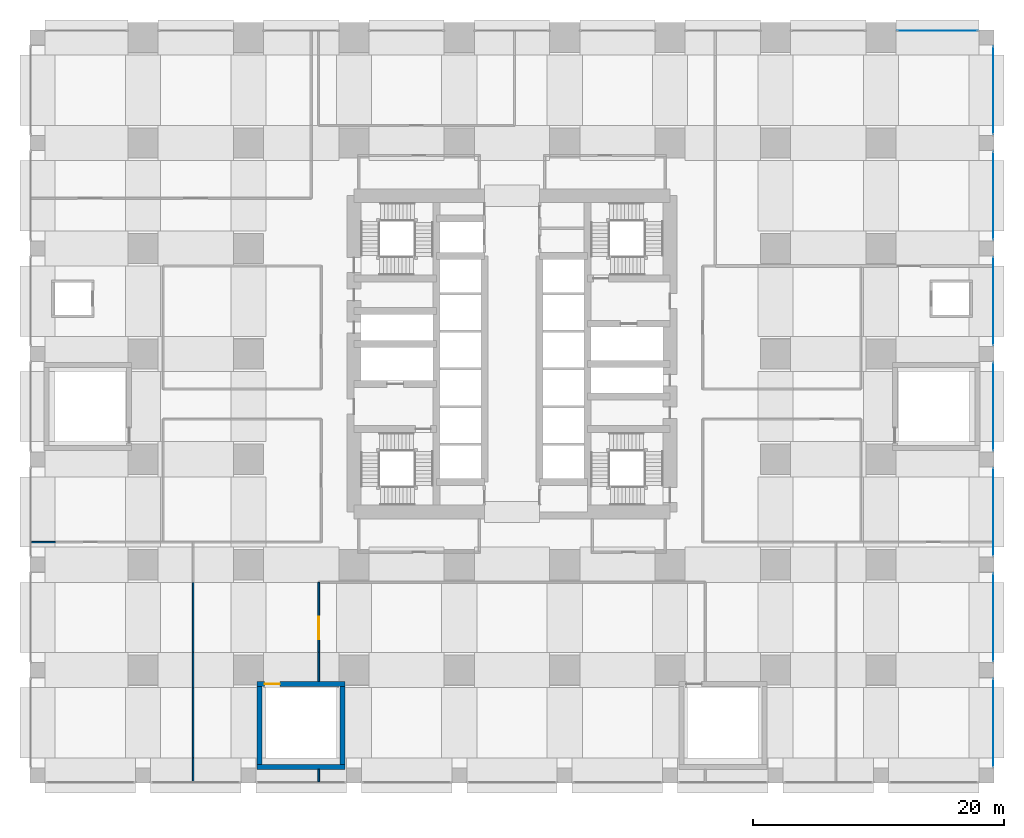
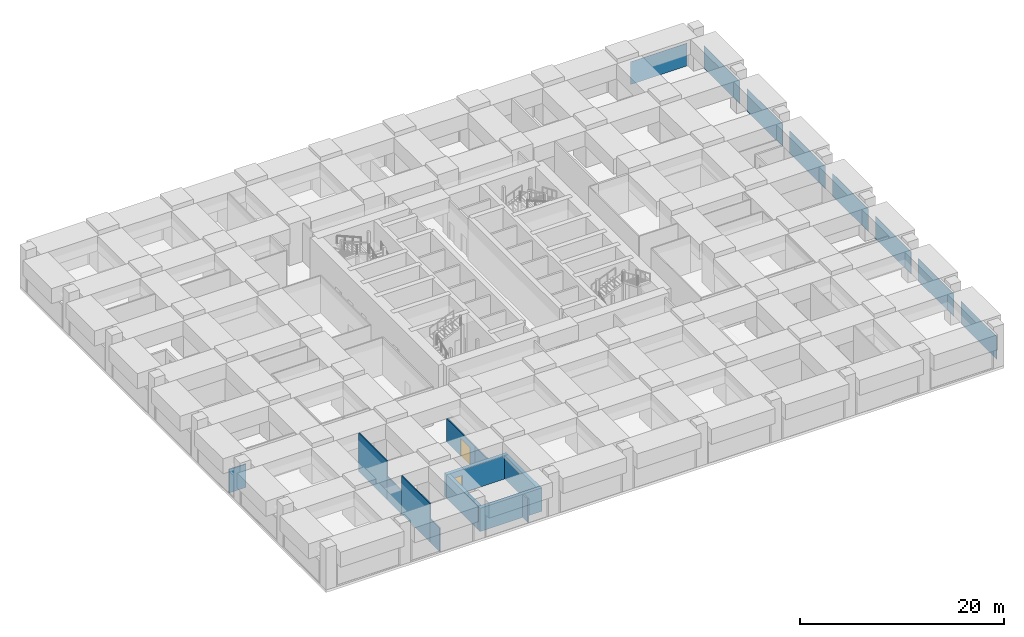
# One storey, part 38 of 52: 12 walls, 8 plates, 2 doors, 2 openings, 8 elements without a shape of their own.
"""IFC4 building model written with IfcOpenShell, lengths in metres."""

import ifcopenshell
import ifcopenshell.guid

model = None  # the IFC model being written
_history = None  # IfcOwnerHistory: only IFC2X3 demands one
_inside = {}  # id of a spatial element -> (the spatial element, [elements in it])
_under = {}  # id of a project, library or spatial element -> (it, [spatial elements below it])
_declared = {}  # id of a project -> (the project, [libraries it declares])
_typed = {}  # id of a type object -> (the type object, [elements of that type])
_made_of = {}  # id of a material, layer set ... -> (it, [elements and type objects made of it])


def new_model(schema):
    """Start an empty IFC model of exactly this schema.

    Asked for "IFC4X3", IfcOpenShell would pick the latest addendum, in which some entities
    have other attributes; the version numbers below select the first issue.
    IFC2X3 requires an IfcOwnerHistory on every rooted entity: one is made here for all.
    """
    global model, _history
    if schema == "IFC4X3":
        model = ifcopenshell.file(schema_version=(4, 3, 0, 0))
    else:
        model = ifcopenshell.file(schema=schema)
    _inside.clear()
    _under.clear()
    _declared.clear()
    _typed.clear()
    _made_of.clear()
    _history = None
    if model.schema == "IFC2X3":
        org = make("IfcOrganization", Name="unknown")
        user = make(
            "IfcPersonAndOrganization",
            ThePerson=make("IfcPerson", FamilyName="unknown"),
            TheOrganization=org,
        )
        app = make(
            "IfcApplication",
            ApplicationDeveloper=org,
            Version="unknown",
            ApplicationFullName="unknown",
            ApplicationIdentifier="unknown",
        )
        _history = make(
            "IfcOwnerHistory",
            OwningUser=user,
            OwningApplication=app,
            ChangeAction="ADDED",
            CreationDate=0,
        )
    return model


def make(cls, **values):
    """One entity of the class cls with the attributes given. An attribute that is None is left unset."""
    return model.create_entity(
        cls, **{name: value for name, value in values.items() if value is not None}
    )


def rooted(cls, **values):
    """An entity with a GlobalId (a new one), such as an element, a storey or a relation."""
    return make(cls, GlobalId=ifcopenshell.guid.new(), OwnerHistory=_history, **values)


def si_unit(unit_type, name, prefix=None):
    """IfcSIUnit, for example si_unit("LENGTHUNIT", "METRE", prefix="MILLI")."""
    return make("IfcSIUnit", UnitType=unit_type, Prefix=prefix, Name=name)


def assignment(units):
    """IfcUnitAssignment: the units of a project."""
    return None if units is None else make("IfcUnitAssignment", Units=units)


def point(xyz):
    """IfcCartesianPoint."""
    return None if xyz is None else make("IfcCartesianPoint", Coordinates=xyz)


def direction(xyz):
    """IfcDirection."""
    return None if xyz is None else make("IfcDirection", DirectionRatios=xyz)


def frame(location, z_axis=None, x_axis=None):
    """IfcAxis2Placement3D, a coordinate frame: its origin and axes. An axis left out is left unset."""
    return make(
        "IfcAxis2Placement3D",
        Location=point(location),
        Axis=direction(z_axis),
        RefDirection=direction(x_axis),
    )


def frame_2d(location, x_axis=None):
    """IfcAxis2Placement2D, a coordinate frame in the plane: its origin and x axis."""
    return make(
        "IfcAxis2Placement2D", Location=point(location), RefDirection=direction(x_axis)
    )


def origin():
    """The frame at (0, 0, 0) with its axes left unset."""
    return frame((0.0, 0.0, 0.0))


def origin_2d():
    """The frame at (0, 0) in the plane with its x axis left unset."""
    return frame_2d((0.0, 0.0))


def place(relative_to, where):
    """IfcLocalPlacement: puts the frame where relative to a parent placement (None: the world)."""
    return make(
        "IfcLocalPlacement", PlacementRelTo=relative_to, RelativePlacement=where
    )


def context(
    kind, dimensions, precision=None, world=None, true_north=None, identifier=None
):
    """IfcGeometricRepresentationContext, for example the 3D "Model" context."""
    return make(
        "IfcGeometricRepresentationContext",
        ContextIdentifier=identifier,
        ContextType=kind,
        CoordinateSpaceDimension=dimensions,
        Precision=precision,
        WorldCoordinateSystem=world,
        TrueNorth=true_north,
    )


def subcontext(parent, identifier, kind, view, scale=None):
    """IfcGeometricRepresentationSubContext, for example "Body" below "Model"."""
    return make(
        "IfcGeometricRepresentationSubContext",
        ContextIdentifier=identifier,
        ContextType=kind,
        ParentContext=parent,
        TargetScale=scale,
        TargetView=view,
    )


def project(units=None, contexts=None):
    """IfcProject with its units and contexts."""
    return rooted(
        "IfcProject",
        Name="project",
        RepresentationContexts=contexts,
        UnitsInContext=assignment(units),
    )


def spatial(cls, under=None, at=None, **own):
    """A site, building, storey or space (cls), placed at a placement, below another one or the project."""
    s = rooted(cls, ObjectPlacement=at, **own)
    if under is not None:
        _under.setdefault(under.id(), (under, []))[1].append(s)
    return s


def profile(cls, at=None, kind="AREA", **sizes):
    """A parametric profile (cls). Its sizes go by their IFC names, for example OverallWidth=200.0."""
    return make(cls, ProfileType=kind, Position=at, **sizes)


def rectangle(**sizes):
    """IfcRectangleProfileDef."""
    return profile("IfcRectangleProfileDef", **sizes)


def extrude(swept, where, along, depth):
    """IfcExtrudedAreaSolid: the profile swept, set in the frame where, extruded along a direction by depth."""
    return make(
        "IfcExtrudedAreaSolid",
        SweptArea=swept,
        Position=where,
        ExtrudedDirection=direction(along),
        Depth=depth,
    )


def shape(context_of_items, identifier, shape_type, items):
    """IfcShapeRepresentation: the items that make up one representation, for example the "Body"."""
    return make(
        "IfcShapeRepresentation",
        ContextOfItems=context_of_items,
        RepresentationIdentifier=identifier,
        RepresentationType=shape_type,
        Items=items,
    )


def material(Name=None, Category=None):
    """IfcMaterial."""
    return make("IfcMaterial", Name=Name, Category=Category)


def layer(
    of_material, thickness, ventilated=None, Name=None, Category=None, Priority=None
):
    """IfcMaterialLayer: one layer of a wall or slab, of a material (None: an air gap)."""
    return make(
        "IfcMaterialLayer",
        Material=of_material,
        LayerThickness=thickness,
        IsVentilated=ventilated,
        Name=Name,
        Category=Category,
        Priority=Priority,
    )


def layer_set(layers, Name=None):
    """IfcMaterialLayerSet."""
    return make("IfcMaterialLayerSet", MaterialLayers=layers, LayerSetName=Name)


def made_of(thing, what):
    """Note that an element or type object is made of a material, layer set ...; save() writes the relation."""
    if what is not None:
        _made_of.setdefault(what.id(), (what, []))[1].append(thing)
    return thing


def type_object(cls, material=None, **own):
    """A type object (cls), such as IfcWallType, which elements share."""
    return made_of(rooted(cls, **own), material)


def element(
    cls,
    number,
    at=None,
    inside=None,
    cuts=None,
    type_object=None,
    material=None,
    context=None,
    identifier="Body",
    shape_type=None,
    held_by="IfcProductDefinitionShape",
    body=None,
    shapes=None,
    **own,
):
    """One element of the class cls, such as IfcWall. Its Tag is "e" and its number.

    at: its placement. inside: the storey or other place that contains it. cuts: it is an
    opening in that element (IfcRelVoidsElement). A single representation is given by context,
    identifier, shape_type and body (its items); several are given by shapes. held_by: the class
    of the entity that holds the representations. save() writes the other relations.
    """
    e = rooted(cls, Tag="e%d" % number, ObjectPlacement=at, **own)
    if body is not None:
        shapes = [shape(context, identifier, shape_type, body)]
    if shapes is not None:
        e.Representation = make(held_by, Representations=shapes)
    if inside is not None:
        _inside.setdefault(inside.id(), (inside, []))[1].append(e)
    if cuts is not None:
        rooted(
            "IfcRelVoidsElement", RelatingBuildingElement=cuts, RelatedOpeningElement=e
        )
    if type_object is not None:
        _typed.setdefault(type_object.id(), (type_object, []))[1].append(e)
    return made_of(e, material)


def fill(opening, filler):
    """IfcRelFillsElement: the door or window that sits in an opening."""
    return rooted(
        "IfcRelFillsElement",
        RelatingOpeningElement=opening,
        RelatedBuildingElement=filler,
    )


def aggregate(whole, parts):
    """IfcRelAggregates: a whole, such as a stair, and the parts it consists of."""
    return rooted("IfcRelAggregates", RelatingObject=whole, RelatedObjects=parts)


def save(model, path):
    """Write the relations noted so far, then the file.

    IfcRelAggregates (storeys below a building ...), IfcRelContainedInSpatialStructure (elements
    in a storey), IfcRelDefinesByType, IfcRelAssociatesMaterial and IfcRelDeclares: one each for
    every whole, place, type object, material and project.
    """
    for whole, parts in _under.values():
        aggregate(whole, parts)
    for where, things in _inside.values():
        rooted(
            "IfcRelContainedInSpatialStructure",
            RelatedElements=things,
            RelatingStructure=where,
        )
    for kind, things in _typed.values():
        rooted("IfcRelDefinesByType", RelatedObjects=things, RelatingType=kind)
    for what, things in _made_of.values():
        rooted("IfcRelAssociatesMaterial", RelatedObjects=things, RelatingMaterial=what)
    for by, libraries in _declared.values():
        rooted("IfcRelDeclares", RelatingContext=by, RelatedDefinitions=libraries)
    model.write(path)


model = new_model("IFC4")

# Units and contexts
model_context = context("Model", 3, precision=1e-05, world=origin(), true_north=direction((0.0, 1.0)))
body_context = subcontext(model_context, "Body", "Model", "MODEL_VIEW")
ifc_project = project(units=[si_unit("LENGTHUNIT", "METRE"), si_unit("AREAUNIT", "SQUARE_METRE"), si_unit("VOLUMEUNIT", "CUBIC_METRE"), si_unit("PLANEANGLEUNIT", "RADIAN"), si_unit("MASSUNIT", "GRAM", prefix="KILO")], contexts=[model_context])

# Site, building, storey
site_placement = place(None, origin())
site = spatial("IfcSite", under=ifc_project, at=site_placement, CompositionType="ELEMENT")
building_placement = place(site_placement, origin())
building = spatial("IfcBuilding", under=site, at=building_placement, Name="Rekha Terrace Tower", CompositionType="ELEMENT")
storey_placement = place(building_placement, frame((0.0, 0.0, 20.39990234375)))
storey = spatial("IfcBuildingStorey", under=building, at=storey_placement, Name="L04", CompositionType="ELEMENT", Elevation=20.39990234375)

# Curtain wall, plate
ifc_material_1 = material(Name="Aluminium framing", Category="aluminium")
curtain_wall_type = type_object("IfcCurtainWallType", Name="CW4 podium shopfront glazing", PredefinedType="USERDEFINED", material=ifc_material_1)
curtain_wall_1_placement = place(storey_placement, origin())
curtain_wall_1 = element("IfcCurtainWall", 1, at=curtain_wall_1_placement, inside=storey, type_object=curtain_wall_type, Name="CW4 shopfront curtain wall", ObjectType="SHOPFRONT CURTAIN WALL", PredefinedType="USERDEFINED")
ifc_material_2 = material(Name="Laminated double-glazed unit 30", Category="glass")
ifc_layer_1 = layer(ifc_material_2, 0.030029296875)
ifc_layer_set_1 = layer_set([ifc_layer_1], Name="Laminated double-glazed unit 30")
plate_type = type_object("IfcPlateType", Name="CW4 jumbo vision panel, laminated double-glazed unit 30", PredefinedType="CURTAIN_PANEL", material=ifc_layer_set_1)
plate_1_placement = place(storey_placement, frame((76.139892578125, 4.199951171875, 0.0), z_axis=(0.0, 0.0, 1.0), x_axis=(0.0, 1.0, 0.0)))
plate_1 = element("IfcPlate", 2, at=plate_1_placement, type_object=plate_type, Name="CW4 panel 1.1", PredefinedType="CURTAIN_PANEL", context=body_context, shape_type="SweptSolid", body=[
    extrude(rectangle(XDim=7.010009765625, YDim=0.030029296875, at=origin_2d()), origin(), (0.0, 0.0, 1.0), 2.72509765625),
])
aggregate(curtain_wall_1, [plate_1])

curtain_wall_2_placement = place(storey_placement, origin())
curtain_wall_2 = element("IfcCurtainWall", 3, at=curtain_wall_2_placement, inside=storey, type_object=curtain_wall_type, Name="CW4 shopfront curtain wall", ObjectType="SHOPFRONT CURTAIN WALL", PredefinedType="USERDEFINED")
plate_2_placement = place(storey_placement, frame((76.139892578125, 12.60009765625, 0.0), z_axis=(0.0, 0.0, 1.0), x_axis=(0.0, 1.0, 0.0)))
plate_2 = element("IfcPlate", 4, at=plate_2_placement, type_object=plate_type, Name="CW4 panel 1.1", PredefinedType="CURTAIN_PANEL", context=body_context, shape_type="SweptSolid", body=[
    extrude(rectangle(XDim=7.010009765625, YDim=0.030029296875, at=origin_2d()), origin(), (0.0, 0.0, 1.0), 2.72509765625),
])
aggregate(curtain_wall_2, [plate_2])

curtain_wall_3_placement = place(storey_placement, origin())
curtain_wall_3 = element("IfcCurtainWall", 5, at=curtain_wall_3_placement, inside=storey, type_object=curtain_wall_type, Name="CW4 shopfront curtain wall", ObjectType="SHOPFRONT CURTAIN WALL", PredefinedType="USERDEFINED")
plate_3_placement = place(storey_placement, frame((76.139892578125, 21.0, 0.0), z_axis=(0.0, 0.0, 1.0), x_axis=(0.0, 1.0, 0.0)))
plate_3 = element("IfcPlate", 6, at=plate_3_placement, type_object=plate_type, Name="CW4 panel 1.1", PredefinedType="CURTAIN_PANEL", context=body_context, shape_type="SweptSolid", body=[
    extrude(rectangle(XDim=7.010009765625, YDim=0.030029296875, at=origin_2d()), origin(), (0.0, 0.0, 1.0), 2.72509765625),
])
aggregate(curtain_wall_3, [plate_3])

curtain_wall_4_placement = place(storey_placement, origin())
curtain_wall_4 = element("IfcCurtainWall", 7, at=curtain_wall_4_placement, inside=storey, type_object=curtain_wall_type, Name="CW4 shopfront curtain wall", ObjectType="SHOPFRONT CURTAIN WALL", PredefinedType="USERDEFINED")
plate_4_placement = place(storey_placement, frame((76.139892578125, 29.39990234375, 0.0), z_axis=(0.0, 0.0, 1.0), x_axis=(0.0, 1.0, 0.0)))
plate_4 = element("IfcPlate", 8, at=plate_4_placement, type_object=plate_type, Name="CW4 panel 1.1", PredefinedType="CURTAIN_PANEL", context=body_context, shape_type="SweptSolid", body=[
    extrude(rectangle(XDim=7.010009765625, YDim=0.030029296875, at=origin_2d()), origin(), (0.0, 0.0, 1.0), 2.72509765625),
])
aggregate(curtain_wall_4, [plate_4])

curtain_wall_5_placement = place(storey_placement, origin())
curtain_wall_5 = element("IfcCurtainWall", 9, at=curtain_wall_5_placement, inside=storey, type_object=curtain_wall_type, Name="CW4 shopfront curtain wall", ObjectType="SHOPFRONT CURTAIN WALL", PredefinedType="USERDEFINED")
plate_5_placement = place(storey_placement, frame((76.139892578125, 37.800048828125, 0.0), z_axis=(0.0, 0.0, 1.0), x_axis=(0.0, 1.0, 0.0)))
plate_5 = element("IfcPlate", 10, at=plate_5_placement, type_object=plate_type, Name="CW4 panel 1.1", PredefinedType="CURTAIN_PANEL", context=body_context, shape_type="SweptSolid", body=[
    extrude(rectangle(XDim=7.010009765625, YDim=0.030029296875, at=origin_2d()), origin(), (0.0, 0.0, 1.0), 2.72509765625),
])
aggregate(curtain_wall_5, [plate_5])

curtain_wall_6_placement = place(storey_placement, origin())
curtain_wall_6 = element("IfcCurtainWall", 11, at=curtain_wall_6_placement, inside=storey, type_object=curtain_wall_type, Name="CW4 shopfront curtain wall", ObjectType="SHOPFRONT CURTAIN WALL", PredefinedType="USERDEFINED")
plate_6_placement = place(storey_placement, frame((76.139892578125, 46.199951171875, 0.0), z_axis=(0.0, 0.0, 1.0), x_axis=(0.0, 1.0, 0.0)))
plate_6 = element("IfcPlate", 12, at=plate_6_placement, type_object=plate_type, Name="CW4 panel 1.1", PredefinedType="CURTAIN_PANEL", context=body_context, shape_type="SweptSolid", body=[
    extrude(rectangle(XDim=7.010009765625, YDim=0.030029296875, at=origin_2d()), origin(), (0.0, 0.0, 1.0), 2.72509765625),
])
aggregate(curtain_wall_6, [plate_6])

curtain_wall_7_placement = place(storey_placement, origin())
curtain_wall_7 = element("IfcCurtainWall", 13, at=curtain_wall_7_placement, inside=storey, type_object=curtain_wall_type, Name="CW4 shopfront curtain wall", ObjectType="SHOPFRONT CURTAIN WALL", PredefinedType="USERDEFINED")
plate_7_placement = place(storey_placement, frame((76.139892578125, 54.60009765625, 0.0), z_axis=(0.0, 0.0, 1.0), x_axis=(0.0, 1.0, 0.0)))
plate_7 = element("IfcPlate", 14, at=plate_7_placement, type_object=plate_type, Name="CW4 panel 1.1", PredefinedType="CURTAIN_PANEL", context=body_context, shape_type="SweptSolid", body=[
    extrude(rectangle(XDim=7.010009765625, YDim=0.030029296875, at=origin_2d()), origin(), (0.0, 0.0, 1.0), 2.72509765625),
])
aggregate(curtain_wall_7, [plate_7])

curtain_wall_8_placement = place(storey_placement, origin())
curtain_wall_8 = element("IfcCurtainWall", 15, at=curtain_wall_8_placement, inside=storey, type_object=curtain_wall_type, Name="CW4 shopfront curtain wall", ObjectType="SHOPFRONT CURTAIN WALL", PredefinedType="USERDEFINED")
plate_8_placement = place(storey_placement, frame((71.699951171875, 59.340087890625, 0.0), z_axis=(0.0, 0.0, 1.0), x_axis=(-1.0, 0.0, 0.0)))
plate_8 = element("IfcPlate", 16, at=plate_8_placement, type_object=plate_type, Name="CW4 panel 1.1", PredefinedType="CURTAIN_PANEL", context=body_context, shape_type="SweptSolid", body=[
    extrude(rectangle(XDim=6.409912109375, YDim=0.030029296875, at=origin_2d()), origin(), (0.0, 0.0, 1.0), 2.72509765625),
])
aggregate(curtain_wall_8, [plate_8])

# Wall
ifc_material_3 = material(Name="Concrete block masonry, 1 hour", Category="masonry")
ifc_layer_2 = layer(ifc_material_3, 0.14990234375)
ifc_layer_set_2 = layer_set([ifc_layer_2], Name="Concrete block masonry, 1 hour")
wall_type_1 = type_object("IfcWallType", Name="WP2 150 tenancy partition", PredefinedType="PARTITIONING", material=ifc_layer_set_2)
wall_1_placement = place(storey_placement, frame((22.39990234375, 7.5, 0.0), z_axis=(0.0, 0.0, 1.0), x_axis=(0.0, 1.0, 0.0)))
element("IfcWall", 17, at=wall_1_placement, inside=storey, type_object=wall_type_1, Name="Partition L04-02", PredefinedType="PARTITIONING", context=body_context, shape_type="SweptSolid", body=[
    extrude(rectangle(XDim=2.31005859375, YDim=0.14990234375, at=frame_2d((1.155029296875, 0.0))), origin(), (0.0, 0.0, 1.0), 2.800048828125),
])

# Wall, opening, door
wall_2_placement = place(storey_placement, frame((22.39990234375, 9.81005859375, 0.0), z_axis=(0.0, 0.0, 1.0), x_axis=(0.0, 1.0, 0.0)))
wall_2 = element("IfcWall", 18, at=wall_2_placement, inside=storey, type_object=wall_type_1, Name="Partition L04-02", PredefinedType="PARTITIONING", context=body_context, shape_type="SweptSolid", body=[
    extrude(rectangle(XDim=5.58984375, YDim=0.14990234375, at=frame_2d((2.794921875, 0.0))), origin(), (0.0, 0.0, 1.0), 2.800048828125),
])
opening_1_placement = place(wall_2_placement, frame((1.06298828125, 0.0, 0.0)))
opening_1 = element("IfcOpeningElement", 19, at=opening_1_placement, cuts=wall_2, Name="Opening D8", PredefinedType="OPENING", context=body_context, shape_type="SweptSolid", body=[
    extrude(rectangle(XDim=1.800048828125, YDim=2.10009765625, at=frame_2d((0.89990234375, 1.050048828125))), frame((0.0, 0.0849609375, 0.0), z_axis=(0.0, -1.0, 0.0), x_axis=(1.0, 0.0, 0.0)), (0.0, 0.0, 1.0), 0.169921875),
])
ifc_material_4 = material(Name="Timber fire door", Category="wood")
door_type_1 = type_object("IfcDoorType", Name="D8 1800x2100 double leaf door", OperationType="DOUBLE_DOOR_SINGLE_SWING", PredefinedType="DOOR", material=ifc_material_4)
door_1_placement = place(opening_1_placement, origin())
door_1 = element("IfcDoor", 20, at=door_1_placement, inside=storey, type_object=door_type_1, Name="Door conference room 1 L04", OperationType="DOUBLE_DOOR_SINGLE_SWING", OverallHeight=2.10009765625, OverallWidth=1.800048828125, PredefinedType="DOOR", context=body_context, shape_type="SweptSolid", body=[
    extrude(rectangle(XDim=1.800048828125, YDim=2.10009765625, at=frame_2d((0.89990234375, 1.050048828125))), frame((0.0, 0.02490234375, 0.0), z_axis=(0.0, -1.0, 0.0), x_axis=(1.0, 0.0, 0.0)), (0.0, 0.0, 1.0), 0.050048828125),
])
fill(opening_1, door_1)

# Walls
wall_3_placement = place(storey_placement, frame((22.39990234375, -0.489990234375, 0.0), z_axis=(0.0, 0.0, 1.0), x_axis=(0.0, 1.0, 0.0)))
element("IfcWall", 21, at=wall_3_placement, inside=storey, type_object=wall_type_1, Name="Partition L04-02", PredefinedType="PARTITIONING", context=body_context, shape_type="SweptSolid", body=[
    extrude(rectangle(XDim=0.989990234375, YDim=0.14990234375, at=frame_2d((0.4951171875, 0.0))), origin(), (0.0, 0.0, 1.0), 2.800048828125),
])
ifc_material_5 = material(Name="Two layers of fire-rated gypsum board each side on steel studs, acoustic quilt, 1 hour", Category="steel")
ifc_layer_3 = layer(ifc_material_5, 0.125)
ifc_layer_set_3 = layer_set([ifc_layer_3], Name="Two layers of fire-rated gypsum board each side on steel studs, acoustic quilt, 1 hour")
wall_type_2 = type_object("IfcWallType", Name="WP3 125 office partition", PredefinedType="PARTITIONING", material=ifc_layer_set_3)
wall_4_placement = place(storey_placement, frame((-0.489990234375, 18.60009765625, 0.0), z_axis=(0.0, 0.0, 1.0), x_axis=(1.0, 0.0, 0.0)))
element("IfcWall", 22, at=wall_4_placement, inside=storey, type_object=wall_type_2, Name="Partition L04-05", PredefinedType="PARTITIONING", context=body_context, shape_type="SweptSolid", body=[
    extrude(rectangle(XDim=1.89990234375, YDim=0.125, at=frame_2d((0.949951171875, 0.0))), origin(), (0.0, 0.0, 1.0), 2.800048828125),
])
wall_5_placement = place(storey_placement, frame((12.39990234375, 15.389892578125, 0.0), z_axis=(0.0, 0.0, 1.0), x_axis=(0.0, -1.0, 0.0)))
element("IfcWall", 23, at=wall_5_placement, inside=storey, type_object=wall_type_2, Name="Partition L04-05", PredefinedType="PARTITIONING", context=body_context, shape_type="SweptSolid", body=[
    extrude(rectangle(XDim=5.579833984375, YDim=0.125, at=frame_2d((2.7900390625, 0.0))), origin(), (0.0, 0.0, 1.0), 4.60009765625),
])
wall_6_placement = place(storey_placement, frame((12.39990234375, 9.81005859375, 0.0), z_axis=(0.0, 0.0, 1.0), x_axis=(0.0, -1.0, 0.0)))
element("IfcWall", 24, at=wall_6_placement, inside=storey, type_object=wall_type_2, Name="Partition L04-05", PredefinedType="PARTITIONING", context=body_context, shape_type="SweptSolid", body=[
    extrude(rectangle(XDim=2.820068359375, YDim=0.125, at=frame_2d((1.41015625, 0.0))), origin(), (0.0, 0.0, 1.0), 2.800048828125),
])
wall_7_placement = place(storey_placement, frame((12.39990234375, 6.989990234375, 0.0), z_axis=(0.0, 0.0, 1.0), x_axis=(0.0, -1.0, 0.0)))
element("IfcWall", 25, at=wall_7_placement, inside=storey, type_object=wall_type_2, Name="Partition L04-05", PredefinedType="PARTITIONING", context=body_context, shape_type="SweptSolid", body=[
    extrude(rectangle(XDim=5.580078125, YDim=0.125, at=frame_2d((2.7900390625, 0.0))), origin(), (0.0, 0.0, 1.0), 4.60009765625),
])
wall_8_placement = place(storey_placement, frame((12.39990234375, 1.409912109375, 0.0), z_axis=(0.0, 0.0, 1.0), x_axis=(0.0, -1.0, 0.0)))
element("IfcWall", 26, at=wall_8_placement, inside=storey, type_object=wall_type_2, Name="Partition L04-05", PredefinedType="PARTITIONING", context=body_context, shape_type="SweptSolid", body=[
    extrude(rectangle(XDim=1.89990234375, YDim=0.125, at=frame_2d((0.949951171875, 0.0))), origin(), (0.0, 0.0, 1.0), 2.800048828125),
])
ifc_material_6 = material(Name="Concrete M60", Category="concrete")
ifc_layer_4 = layer(ifc_material_6, 0.39990234375)
ifc_layer_set_4 = layer_set([ifc_layer_4], Name="Concrete M60")
wall_type_3 = type_object("IfcWallType", Name="WS3 400 RC podium stair wall", PredefinedType="SOLIDWALL", material=ifc_layer_set_4)
wall_9_placement = place(storey_placement, frame((17.5, 0.699951171875, 0.0), z_axis=(0.0, 0.0, 1.0), x_axis=(1.0, 0.0, 0.0)))
element("IfcWall", 27, at=wall_9_placement, inside=storey, type_object=wall_type_3, Name="Stair SP3 south wall", PredefinedType="SOLIDWALL", context=body_context, shape_type="SweptSolid", body=[
    extrude(rectangle(XDim=7.0, YDim=0.39990234375, at=frame_2d((3.5, 0.0))), origin(), (0.0, 0.0, 1.0), 2.800048828125),
])

# Wall, opening, door
wall_10_placement = place(storey_placement, frame((17.5, 7.300048828125, 0.0), z_axis=(0.0, 0.0, 1.0), x_axis=(1.0, 0.0, 0.0)))
wall_10 = element("IfcWall", 28, at=wall_10_placement, inside=storey, type_object=wall_type_3, Name="Stair SP3 north wall", PredefinedType="SOLIDWALL", context=body_context, shape_type="SweptSolid", body=[
    extrude(rectangle(XDim=7.0, YDim=0.39990234375, at=frame_2d((3.5, 0.0))), origin(), (0.0, 0.0, 1.0), 2.800048828125),
])
opening_2_placement = place(wall_10_placement, frame((0.60009765625, 0.0, 0.0)))
opening_2 = element("IfcOpeningElement", 29, at=opening_2_placement, cuts=wall_10, Name="Opening D1", PredefinedType="OPENING", context=body_context, shape_type="SweptSolid", body=[
    extrude(rectangle(XDim=1.199951171875, YDim=2.10009765625, at=frame_2d((0.60009765625, 1.050048828125))), frame((0.0, 0.2099609375, 0.0), z_axis=(0.0, -1.0, 0.0), x_axis=(1.0, 0.0, 0.0)), (0.0, 0.0, 1.0), 0.419921875),
])
ifc_material_7 = material(Name="Steel fire door", Category="steel")
door_type_2 = type_object("IfcDoorType", Name="D1 1200x2100 stair fire door", OperationType="SINGLE_SWING_RIGHT", PredefinedType="DOOR", material=ifc_material_7)
door_2_placement = place(opening_2_placement, origin())
door_2 = element("IfcDoor", 30, at=door_2_placement, inside=storey, type_object=door_type_2, Name="Stair SP3 door L04", OperationType="SINGLE_SWING_RIGHT", OverallHeight=2.10009765625, OverallWidth=1.199951171875, PredefinedType="DOOR", context=body_context, shape_type="SweptSolid", body=[
    extrude(rectangle(XDim=1.199951171875, YDim=2.10009765625, at=frame_2d((0.60009765625, 1.050048828125))), frame((0.0, 0.02490234375, 0.0), z_axis=(0.0, -1.0, 0.0), x_axis=(1.0, 0.0, 0.0)), (0.0, 0.0, 1.0), 0.050048828125),
])
fill(opening_2, door_2)

# Walls
for number, where, z_axis, x_axis, name in (
    (31, (17.699951171875, 0.89990234375, 0.0), (0.0, 0.0, 1.0), (0.0, 1.0, 0.0), "Stair SP3 west wall"),
    (32, (24.300048828125, 0.89990234375, 0.0), (0.0, 0.0, 1.0), (0.0, 1.0, 0.0), "Stair SP3 east wall"),
):
    element("IfcWall", number, at=place(storey_placement, frame(where, z_axis=z_axis, x_axis=x_axis)), inside=storey, type_object=wall_type_3, Name=name, PredefinedType="SOLIDWALL", context=body_context, shape_type="SweptSolid", body=[
        extrude(rectangle(XDim=6.2001953125, YDim=0.39990234375, at=frame_2d((3.10009765625, 0.0))), origin(), (0.0, 0.0, 1.0), 2.800048828125),
    ])

save(model, "model.ifc")
